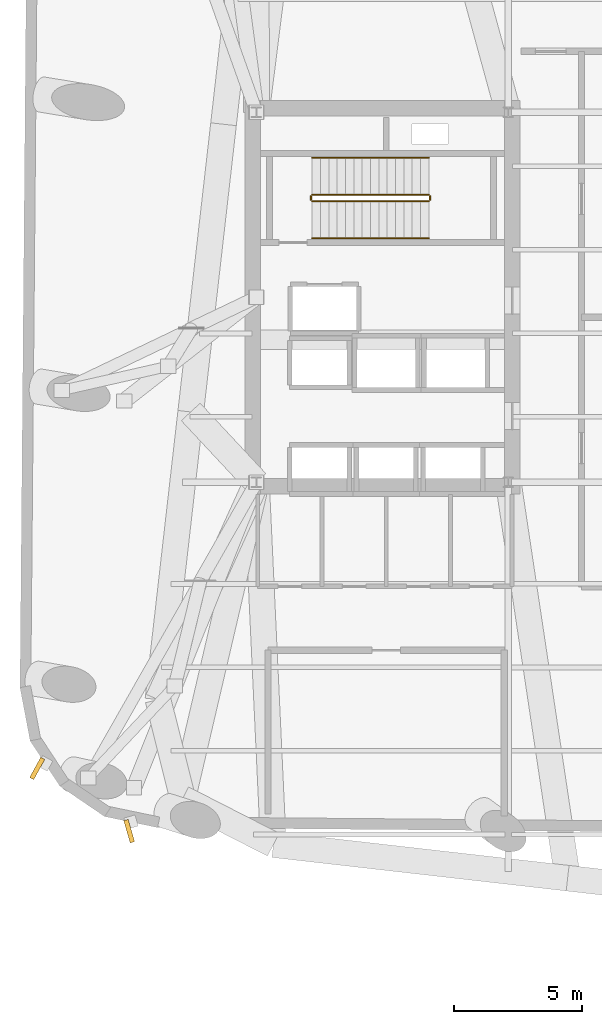
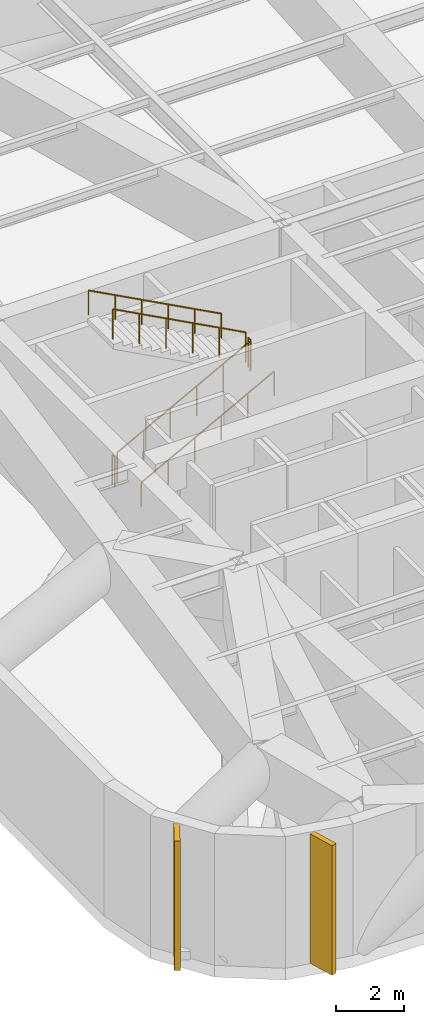
# One storey, part 10 of 13: 6 railings, 2 shading devices.
"""IFC4 building model written with IfcOpenShell, lengths in metres."""

from ifc_helpers import new_model, si_unit, direction, frame, origin, origin_2d, place, context, subcontext, project, spatial, rectangle, circle, extrude, material, type_object, element, save


model = new_model("IFC4")

# Units and contexts
model_context = context("Model", 3, precision=1e-05, world=origin(), true_north=direction((0.0, 1.0)))
body_context = subcontext(model_context, "Body", "Model", "MODEL_VIEW")
ifc_project = project(units=[si_unit("LENGTHUNIT", "METRE"), si_unit("AREAUNIT", "SQUARE_METRE"), si_unit("VOLUMEUNIT", "CUBIC_METRE"), si_unit("PLANEANGLEUNIT", "RADIAN"), si_unit("MASSUNIT", "GRAM", prefix="KILO")], contexts=[model_context])

# Site, building, storey
site_placement = place(None, origin())
site = spatial("IfcSite", under=ifc_project, at=site_placement, CompositionType="ELEMENT")
building_placement = place(site_placement, origin())
building = spatial("IfcBuilding", under=site, at=building_placement, Name="Kolvaren Arena Tower", CompositionType="ELEMENT")
storey_placement = place(building_placement, frame((0.0, 0.0, 210.949951171875)))
storey = spatial("IfcBuildingStorey", under=building, at=storey_placement, Name="L51", CompositionType="ELEMENT", Elevation=210.949951171875)

# Railings
ifc_material_1 = material(Name="Painted galvanized steel", Category="steel")
railing_type_1 = type_object("IfcRailingType", Name="GUARD-ST-110", PredefinedType="GUARDRAIL", material=ifc_material_1)
railing_1_placement = place(storey_placement, frame((16.719970703125, 30.389892578125, 0.17333984375)))
element("IfcRailing", 1, at=railing_1_placement, inside=storey, type_object=railing_type_1, Name="L51 ST-W1 stair guard 1", PredefinedType="GUARDRAIL", context=body_context, shape_type="SweptSolid", body=[
    extrude(circle(Radius=0.02392578125, at=origin_2d()), frame((0.0, 0.0, 1.076171875), z_axis=(0.88174791909, 0.0, 0.471720899664), x_axis=(0.0, 1.0, 0.0)), (0.0, 0.0, 1.0), 5.14453125),
    extrude(circle(Radius=0.02099609375, at=origin_2d()), origin(), (0.0, 0.0, 1.0), 1.052001953125),
    extrude(circle(Radius=0.02099609375, at=origin_2d()), frame((0.9072265625, 0.0, 0.4853515625)), (0.0, 0.0, 1.0), 1.052001953125),
    extrude(circle(Radius=0.02099609375, at=origin_2d()), frame((1.814453125, 0.0, 0.970703125)), (0.0, 0.0, 1.0), 1.052001953125),
    extrude(circle(Radius=0.02099609375, at=origin_2d()), frame((2.7216796875, 0.0, 1.4560546875)), (0.0, 0.0, 1.0), 1.052001953125),
    extrude(circle(Radius=0.02099609375, at=origin_2d()), frame((3.62890625, 0.0, 1.94140625)), (0.0, 0.0, 1.0), 1.052001953125),
    extrude(circle(Radius=0.02099609375, at=origin_2d()), frame((4.5361328125, 0.0, 2.4267578125)), (0.0, 0.0, 1.0), 1.052001953125),
])
railing_2_placement = place(storey_placement, frame((21.305908203125, 30.43994140625, 2.60009765625)))
element("IfcRailing", 2, at=railing_2_placement, inside=storey, type_object=railing_type_1, Name="L51 ST-W1 stair guard 2", PredefinedType="GUARDRAIL", context=body_context, shape_type="SweptSolid", body=[
    extrude(circle(Radius=0.02392578125, at=origin_2d()), frame((0.0, 0.0, 1.076171875), z_axis=(0.0, 1.0, 0.0), x_axis=(-1.0, 0.0, 0.0)), (0.0, 0.0, 1.0), 0.150146484375),
    extrude(circle(Radius=0.02099609375, at=origin_2d()), origin(), (0.0, 0.0, 1.0), 1.052001953125),
    extrude(circle(Radius=0.02099609375, at=origin_2d()), frame((0.0, 0.150146484375, 0.0)), (0.0, 0.0, 1.0), 1.052001953125),
])
railing_3_placement = place(storey_placement, frame((21.256103515625, 30.639892578125, 2.7734375)))
element("IfcRailing", 3, at=railing_3_placement, inside=storey, type_object=railing_type_1, Name="L51 ST-W1 stair guard 3", PredefinedType="GUARDRAIL", context=body_context, shape_type="SweptSolid", body=[
    extrude(circle(Radius=0.02392578125, at=origin_2d()), frame((0.0, 0.0, 1.076171875), z_axis=(-0.881767657903, 0.0, 0.471684001717), x_axis=(0.0, -1.0, 0.0)), (0.0, 0.0, 1.0), 5.144287109375),
    extrude(circle(Radius=0.02099609375, at=origin_2d()), origin(), (0.0, 0.0, 1.0), 1.052001953125),
    extrude(circle(Radius=0.02099609375, at=origin_2d()), frame((-0.9072265625, 0.0, 0.4853515625)), (0.0, 0.0, 1.0), 1.052001953125),
    extrude(circle(Radius=0.02099609375, at=origin_2d()), frame((-1.814453125, 0.0, 0.970703125)), (0.0, 0.0, 1.0), 1.052001953125),
    extrude(circle(Radius=0.02099609375, at=origin_2d()), frame((-2.7216796875, 0.0, 1.455810546875)), (0.0, 0.0, 1.0), 1.052001953125),
    extrude(circle(Radius=0.02099609375, at=origin_2d()), frame((-3.62890625, 0.0, 1.941162109375)), (0.0, 0.0, 1.0), 1.052001953125),
    extrude(circle(Radius=0.02099609375, at=origin_2d()), frame((-4.5361328125, 0.0, 2.426513671875)), (0.0, 0.0, 1.0), 1.052001953125),
])
railing_4_placement = place(storey_placement, frame((16.669921875, 30.43994140625, 0.0)))
element("IfcRailing", 4, at=railing_4_placement, inside=storey, type_object=railing_type_1, Name="L51 ST-W1 stair guard 4", PredefinedType="GUARDRAIL", context=body_context, shape_type="SweptSolid", body=[
    extrude(circle(Radius=0.02392578125, at=origin_2d()), frame((0.0, 0.0, 1.076171875), z_axis=(0.0, 1.0, 0.0), x_axis=(-1.0, 0.0, 0.0)), (0.0, 0.0, 1.0), 0.150146484375),
    extrude(circle(Radius=0.02099609375, at=origin_2d()), origin(), (0.0, 0.0, 1.0), 1.052001953125),
    extrude(circle(Radius=0.02099609375, at=origin_2d()), frame((0.0, 0.150146484375, 0.0)), (0.0, 0.0, 1.0), 1.052001953125),
])
ifc_material_2 = material(Name="Brushed stainless steel handrail", Category="steel")
railing_type_2 = type_object("IfcRailingType", Name="HRAIL-900", PredefinedType="HANDRAIL", material=ifc_material_2)
railing_5_placement = place(storey_placement, frame((16.719970703125, 28.949951171875, 0.17333984375)))
element("IfcRailing", 5, at=railing_5_placement, inside=storey, type_object=railing_type_2, Name="L51 ST-W1 stair handrail 1", PredefinedType="HANDRAIL", context=body_context, shape_type="SweptSolid", body=[
    extrude(circle(Radius=0.02392578125, at=origin_2d()), frame((0.0, 0.0, 0.8759765625), z_axis=(0.88174791909, 0.0, 0.471720899664), x_axis=(0.0, 1.0, 0.0)), (0.0, 0.0, 1.0), 5.14453125),
    extrude(circle(Radius=0.02099609375, at=origin_2d()), origin(), (0.0, 0.0, 1.0), 0.851806640625),
    extrude(circle(Radius=0.02099609375, at=origin_2d()), frame((0.9072265625, 0.0, 0.4853515625)), (0.0, 0.0, 1.0), 0.851806640625),
    extrude(circle(Radius=0.02099609375, at=origin_2d()), frame((1.814453125, 0.0, 0.970703125)), (0.0, 0.0, 1.0), 0.851806640625),
    extrude(circle(Radius=0.02099609375, at=origin_2d()), frame((2.7216796875, 0.0, 1.4560546875)), (0.0, 0.0, 1.0), 0.851806640625),
    extrude(circle(Radius=0.02099609375, at=origin_2d()), frame((3.62890625, 0.0, 1.94140625)), (0.0, 0.0, 1.0), 0.851806640625),
    extrude(circle(Radius=0.02099609375, at=origin_2d()), frame((4.5361328125, 0.0, 2.4267578125)), (0.0, 0.0, 1.0), 0.851806640625),
])
railing_6_placement = place(storey_placement, frame((21.256103515625, 32.080078125, 2.7734375)))
element("IfcRailing", 6, at=railing_6_placement, inside=storey, type_object=railing_type_2, Name="L51 ST-W1 stair handrail 2", PredefinedType="HANDRAIL", context=body_context, shape_type="SweptSolid", body=[
    extrude(circle(Radius=0.02392578125, at=origin_2d()), frame((0.0, 0.0, 0.8759765625), z_axis=(-0.881767657903, 0.0, 0.471684001717), x_axis=(0.0, -1.0, 0.0)), (0.0, 0.0, 1.0), 5.144287109375),
    extrude(circle(Radius=0.02099609375, at=origin_2d()), origin(), (0.0, 0.0, 1.0), 0.851806640625),
    extrude(circle(Radius=0.02099609375, at=origin_2d()), frame((-0.9072265625, 0.0, 0.4853515625)), (0.0, 0.0, 1.0), 0.851806640625),
    extrude(circle(Radius=0.02099609375, at=origin_2d()), frame((-1.814453125, 0.0, 0.970703125)), (0.0, 0.0, 1.0), 0.851806640625),
    extrude(circle(Radius=0.02099609375, at=origin_2d()), frame((-2.7216796875, 0.0, 1.455810546875)), (0.0, 0.0, 1.0), 0.851806640625),
    extrude(circle(Radius=0.02099609375, at=origin_2d()), frame((-3.62890625, 0.0, 1.941162109375)), (0.0, 0.0, 1.0), 0.851806640625),
    extrude(circle(Radius=0.02099609375, at=origin_2d()), frame((-4.5361328125, 0.0, 2.426513671875)), (0.0, 0.0, 1.0), 0.851806640625),
])

# Shading devices
ifc_material_3 = material(Name="Precast architectural concrete C50/60 rib fin", Category="concrete")
shading_device_type = type_object("IfcShadingDeviceType", Name="SHAD-FIN-28", PredefinedType="USERDEFINED", material=ifc_material_3)
for number, where, z_axis, x_axis, name in (
    (7, (6.018798828125, 8.31494140625, 0.02001953125), (0.0, 0.0, 1.0), (-0.480994889615, -0.876723397751, 0.0), "Precast 28-Deg Corner Rib Fin (L51)"),
    (8, (9.597412109375, 5.87841796875, 0.02001953125), (0.0, 0.0, 1.0), (0.279812257957, -0.960054738177, 0.0), "Precast 28-Deg Corner Rib Fin (L51)"),
):
    element("IfcShadingDevice", number, at=place(storey_placement, frame(where, z_axis=z_axis, x_axis=x_axis)), inside=storey, type_object=shading_device_type, Name=name, ObjectType="FIN", PredefinedType="USERDEFINED", context=body_context, shape_type="SweptSolid", body=[
        extrude(rectangle(XDim=0.89990234375, YDim=0.179931640625, at=origin_2d()), origin(), (0.0, 0.0, 1.0), 4.669921875),
    ])

save(model, "model.ifc")
